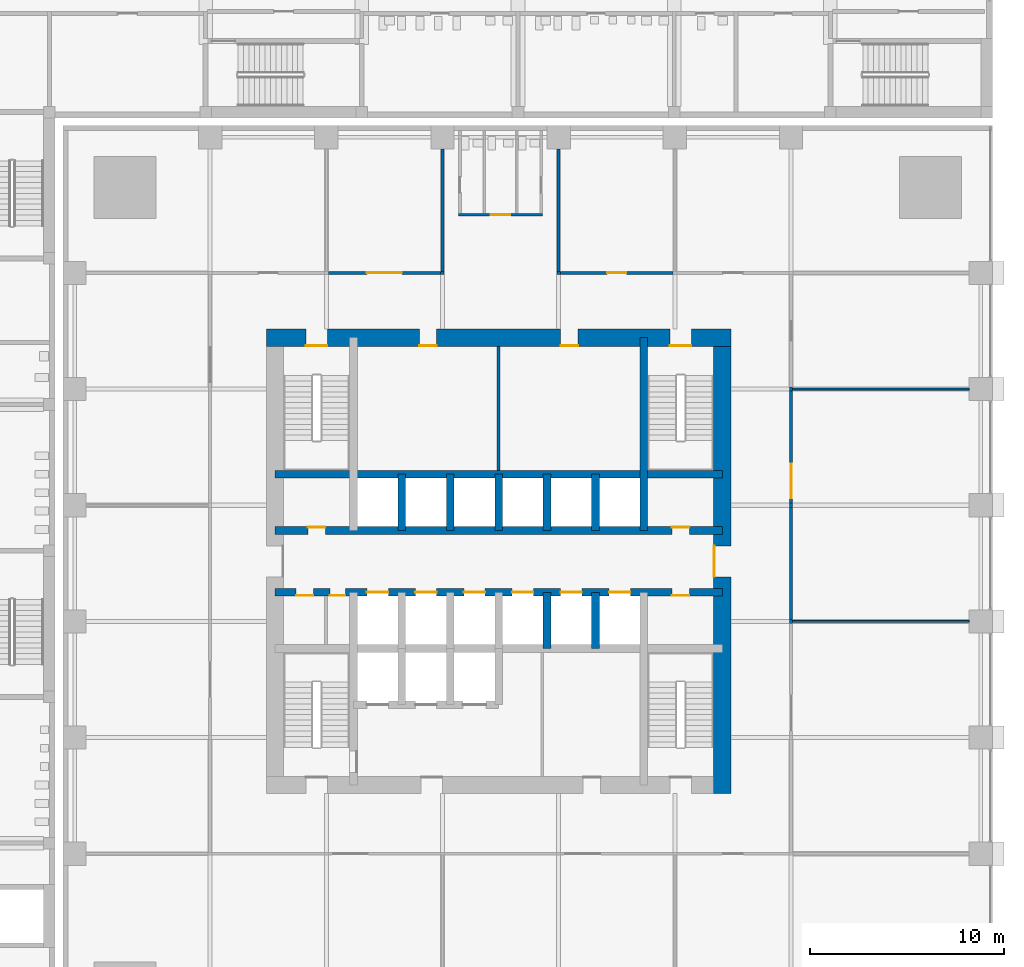
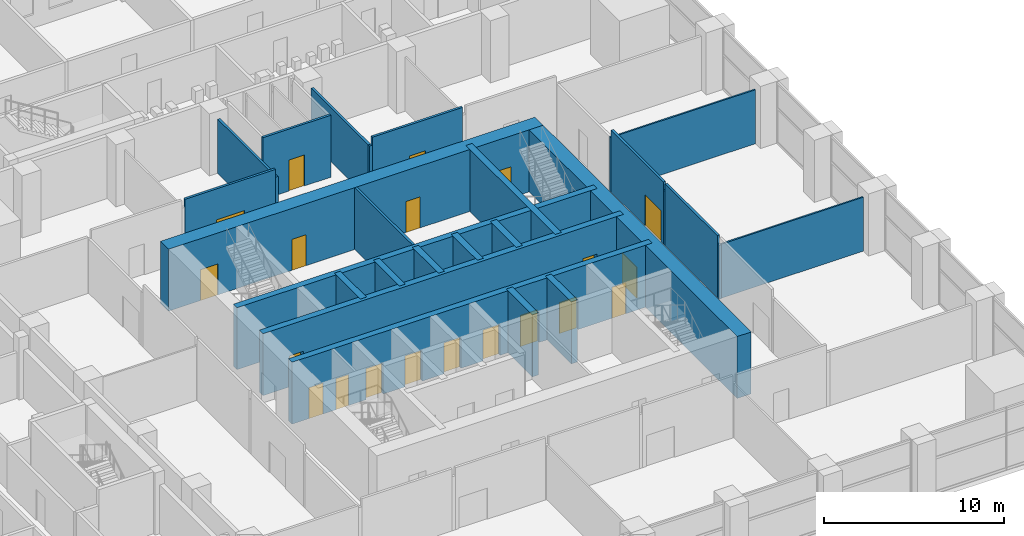
# One storey, part 14 of 25: 28 walls, 20 doors, 20 openings.
"""IFC4 building model written with IfcOpenShell, lengths in metres."""

from ifc_helpers import new_model, si_unit, direction, frame, frame_2d, origin, place, context, subcontext, project, spatial, rectangle, extrude, material, layer, layer_set, type_object, element, fill, save


model = new_model("IFC4")

# Units and contexts
model_context = context("Model", 3, precision=1e-05, world=origin(), true_north=direction((0.0, 1.0)))
body_context = subcontext(model_context, "Body", "Model", "MODEL_VIEW")
ifc_project = project(units=[si_unit("LENGTHUNIT", "METRE"), si_unit("AREAUNIT", "SQUARE_METRE"), si_unit("VOLUMEUNIT", "CUBIC_METRE"), si_unit("PLANEANGLEUNIT", "RADIAN"), si_unit("MASSUNIT", "GRAM", prefix="KILO")], contexts=[model_context])

# Site, building, storey
site_placement = place(None, origin())
site = spatial("IfcSite", under=ifc_project, at=site_placement, CompositionType="ELEMENT")
building_placement = place(site_placement, origin())
building = spatial("IfcBuilding", under=site, at=building_placement, Name="Amberfall Residences", CompositionType="ELEMENT")
storey_placement = place(building_placement, frame((0.0, 0.0, 10.0)))
storey = spatial("IfcBuildingStorey", under=building, at=storey_placement, Name="L02", CompositionType="ELEMENT", Elevation=10.0)

# Wall, openings, doors
ifc_material_1 = material(Name="Concrete C80", Category="concrete")
ifc_layer_1 = layer(ifc_material_1, 0.39990234375)
ifc_layer_set_1 = layer_set([ifc_layer_1], Name="Core wall 400 C80")
wall_type_1 = type_object("IfcWallType", Name="Core wall 400 C80", PredefinedType="SHEAR", material=ifc_layer_set_1)
wall_1_placement = place(storey_placement, frame((62.949951171875, 43.89990234375, 0.0), z_axis=(0.0, 0.0, 1.0), x_axis=(1.0, 0.0, 0.0)))
wall_1 = element("IfcWall", 1, at=wall_1_placement, inside=storey, type_object=wall_type_1, Name="Core wall RW2 L02 H104", PredefinedType="SHEAR", context=body_context, shape_type="SweptSolid", body=[
    extrude(rectangle(XDim=23.10009765625, YDim=0.39990234375, at=frame_2d((11.550048828125, 0.0))), origin(), (0.0, 0.0, 1.0), 4.199951171875),
])
opening_1_placement = place(wall_1_placement, frame((1.087890625, 0.0, 0.0)))
opening_1 = element("IfcOpeningElement", 2, at=opening_1_placement, cuts=wall_1, Name="Opening RD1", PredefinedType="OPENING", context=body_context, shape_type="SweptSolid", body=[
    extrude(rectangle(XDim=0.89990234375, YDim=2.10009765625, at=frame_2d((0.449951171875, 1.050048828125))), frame((0.0, 0.2099609375, 0.0), z_axis=(0.0, -1.0, 0.0), x_axis=(1.0, 0.0, 0.0)), (0.0, 0.0, 1.0), 0.419921875),
])
opening_2_placement = place(wall_1_placement, frame((2.837890625, 0.0, 0.0)))
opening_2 = element("IfcOpeningElement", 3, at=opening_2_placement, cuts=wall_1, Name="Opening RD2", PredefinedType="OPENING", context=body_context, shape_type="SweptSolid", body=[
    extrude(rectangle(XDim=0.800048828125, YDim=2.10009765625, at=frame_2d((0.39990234375, 1.050048828125))), frame((0.0, 0.2099609375, 0.0), z_axis=(0.0, -1.0, 0.0), x_axis=(1.0, 0.0, 0.0)), (0.0, 0.0, 1.0), 0.419921875),
])
opening_3_placement = place(wall_1_placement, frame((20.5, 0.0, 0.0)))
opening_3 = element("IfcOpeningElement", 4, at=opening_3_placement, cuts=wall_1, Name="Opening RD1", PredefinedType="OPENING", context=body_context, shape_type="SweptSolid", body=[
    extrude(rectangle(XDim=0.89990234375, YDim=2.10009765625, at=frame_2d((0.449951171875, 1.050048828125))), frame((0.0, 0.2099609375, 0.0), z_axis=(0.0, -1.0, 0.0), x_axis=(1.0, 0.0, 0.0)), (0.0, 0.0, 1.0), 0.419921875),
])
opening_4_placement = place(wall_1_placement, frame((4.75, 0.0, 0.0)))
opening_4 = element("IfcOpeningElement", 5, at=opening_4_placement, cuts=wall_1, Name="Opening LD1", PredefinedType="OPENING", context=body_context, shape_type="SweptSolid", body=[
    extrude(rectangle(XDim=1.10009765625, YDim=2.10009765625, at=frame_2d((0.550048828125, 1.050048828125))), frame((0.0, 0.2099609375, 0.0), z_axis=(0.0, -1.0, 0.0), x_axis=(1.0, 0.0, 0.0)), (0.0, 0.0, 1.0), 0.419921875),
])
opening_5_placement = place(wall_1_placement, frame((7.25, 0.0, 0.0)))
opening_5 = element("IfcOpeningElement", 6, at=opening_5_placement, cuts=wall_1, Name="Opening LD1", PredefinedType="OPENING", context=body_context, shape_type="SweptSolid", body=[
    extrude(rectangle(XDim=1.10009765625, YDim=2.10009765625, at=frame_2d((0.550048828125, 1.050048828125))), frame((0.0, 0.2099609375, 0.0), z_axis=(0.0, -1.0, 0.0), x_axis=(1.0, 0.0, 0.0)), (0.0, 0.0, 1.0), 0.419921875),
])
opening_6_placement = place(wall_1_placement, frame((9.75, 0.0, 0.0)))
opening_6 = element("IfcOpeningElement", 7, at=opening_6_placement, cuts=wall_1, Name="Opening LD1", PredefinedType="OPENING", context=body_context, shape_type="SweptSolid", body=[
    extrude(rectangle(XDim=1.10009765625, YDim=2.10009765625, at=frame_2d((0.550048828125, 1.050048828125))), frame((0.0, 0.2099609375, 0.0), z_axis=(0.0, -1.0, 0.0), x_axis=(1.0, 0.0, 0.0)), (0.0, 0.0, 1.0), 0.419921875),
])
opening_7_placement = place(wall_1_placement, frame((12.25, 0.0, 0.0)))
opening_7 = element("IfcOpeningElement", 8, at=opening_7_placement, cuts=wall_1, Name="Opening LD1", PredefinedType="OPENING", context=body_context, shape_type="SweptSolid", body=[
    extrude(rectangle(XDim=1.10009765625, YDim=2.10009765625, at=frame_2d((0.550048828125, 1.050048828125))), frame((0.0, 0.2099609375, 0.0), z_axis=(0.0, -1.0, 0.0), x_axis=(1.0, 0.0, 0.0)), (0.0, 0.0, 1.0), 0.419921875),
])
opening_8_placement = place(wall_1_placement, frame((14.75, 0.0, 0.0)))
opening_8 = element("IfcOpeningElement", 9, at=opening_8_placement, cuts=wall_1, Name="Opening LD1", PredefinedType="OPENING", context=body_context, shape_type="SweptSolid", body=[
    extrude(rectangle(XDim=1.10009765625, YDim=2.10009765625, at=frame_2d((0.550048828125, 1.050048828125))), frame((0.0, 0.2099609375, 0.0), z_axis=(0.0, -1.0, 0.0), x_axis=(1.0, 0.0, 0.0)), (0.0, 0.0, 1.0), 0.419921875),
])
opening_9_placement = place(wall_1_placement, frame((17.25, 0.0, 0.0)))
opening_9 = element("IfcOpeningElement", 10, at=opening_9_placement, cuts=wall_1, Name="Opening LD1", PredefinedType="OPENING", context=body_context, shape_type="SweptSolid", body=[
    extrude(rectangle(XDim=1.10009765625, YDim=2.10009765625, at=frame_2d((0.550048828125, 1.050048828125))), frame((0.0, 0.2099609375, 0.0), z_axis=(0.0, -1.0, 0.0), x_axis=(1.0, 0.0, 0.0)), (0.0, 0.0, 1.0), 0.419921875),
])
ifc_material_2 = material(Name="Steel fire door set", Category="steel")
door_type_1 = type_object("IfcDoorType", Name="Lift landing door 1100 x 2100", OperationType="DOUBLE_DOOR_SLIDING", PredefinedType="DOOR", material=ifc_material_2)
door_1_placement = place(opening_4_placement, origin())
door_1 = element("IfcDoor", 11, at=door_1_placement, inside=storey, type_object=door_type_1, Name="Landing door LP1 L02", OperationType="DOUBLE_DOOR_SLIDING", OverallHeight=2.10009765625, OverallWidth=1.10009765625, PredefinedType="DOOR", context=body_context, shape_type="SweptSolid", body=[
    extrude(rectangle(XDim=1.10009765625, YDim=2.10009765625, at=frame_2d((0.550048828125, 1.050048828125))), frame((0.0, 0.02490234375, 0.0), z_axis=(0.0, -1.0, 0.0), x_axis=(1.0, 0.0, 0.0)), (0.0, 0.0, 1.0), 0.050048828125),
])
fill(opening_4, door_1)
door_2_placement = place(opening_5_placement, origin())
door_2 = element("IfcDoor", 12, at=door_2_placement, inside=storey, type_object=door_type_1, Name="Landing door LP2 L02", OperationType="DOUBLE_DOOR_SLIDING", OverallHeight=2.10009765625, OverallWidth=1.10009765625, PredefinedType="DOOR", context=body_context, shape_type="SweptSolid", body=[
    extrude(rectangle(XDim=1.10009765625, YDim=2.10009765625, at=frame_2d((0.550048828125, 1.050048828125))), frame((0.0, 0.02490234375, 0.0), z_axis=(0.0, -1.0, 0.0), x_axis=(1.0, 0.0, 0.0)), (0.0, 0.0, 1.0), 0.050048828125),
])
fill(opening_5, door_2)
door_3_placement = place(opening_6_placement, origin())
door_3 = element("IfcDoor", 13, at=door_3_placement, inside=storey, type_object=door_type_1, Name="Landing door LP3 L02", OperationType="DOUBLE_DOOR_SLIDING", OverallHeight=2.10009765625, OverallWidth=1.10009765625, PredefinedType="DOOR", context=body_context, shape_type="SweptSolid", body=[
    extrude(rectangle(XDim=1.10009765625, YDim=2.10009765625, at=frame_2d((0.550048828125, 1.050048828125))), frame((0.0, 0.02490234375, 0.0), z_axis=(0.0, -1.0, 0.0), x_axis=(1.0, 0.0, 0.0)), (0.0, 0.0, 1.0), 0.050048828125),
])
fill(opening_6, door_3)
door_4_placement = place(opening_7_placement, origin())
door_4 = element("IfcDoor", 14, at=door_4_placement, inside=storey, type_object=door_type_1, Name="Landing door LP4 L02", OperationType="DOUBLE_DOOR_SLIDING", OverallHeight=2.10009765625, OverallWidth=1.10009765625, PredefinedType="DOOR", context=body_context, shape_type="SweptSolid", body=[
    extrude(rectangle(XDim=1.10009765625, YDim=2.10009765625, at=frame_2d((0.550048828125, 1.050048828125))), frame((0.0, 0.02490234375, 0.0), z_axis=(0.0, -1.0, 0.0), x_axis=(1.0, 0.0, 0.0)), (0.0, 0.0, 1.0), 0.050048828125),
])
fill(opening_7, door_4)
door_5_placement = place(opening_8_placement, origin())
door_5 = element("IfcDoor", 15, at=door_5_placement, inside=storey, type_object=door_type_1, Name="Landing door LP5 L02", OperationType="DOUBLE_DOOR_SLIDING", OverallHeight=2.10009765625, OverallWidth=1.10009765625, PredefinedType="DOOR", context=body_context, shape_type="SweptSolid", body=[
    extrude(rectangle(XDim=1.10009765625, YDim=2.10009765625, at=frame_2d((0.550048828125, 1.050048828125))), frame((0.0, 0.02490234375, 0.0), z_axis=(0.0, -1.0, 0.0), x_axis=(1.0, 0.0, 0.0)), (0.0, 0.0, 1.0), 0.050048828125),
])
fill(opening_8, door_5)
door_6_placement = place(opening_9_placement, origin())
door_6 = element("IfcDoor", 16, at=door_6_placement, inside=storey, type_object=door_type_1, Name="Landing door LP6 L02", OperationType="DOUBLE_DOOR_SLIDING", OverallHeight=2.10009765625, OverallWidth=1.10009765625, PredefinedType="DOOR", context=body_context, shape_type="SweptSolid", body=[
    extrude(rectangle(XDim=1.10009765625, YDim=2.10009765625, at=frame_2d((0.550048828125, 1.050048828125))), frame((0.0, 0.02490234375, 0.0), z_axis=(0.0, -1.0, 0.0), x_axis=(1.0, 0.0, 0.0)), (0.0, 0.0, 1.0), 0.050048828125),
])
fill(opening_9, door_6)
door_type_2 = type_object("IfcDoorType", Name="Service room door 800 x 2100", OperationType="SINGLE_SWING_LEFT", PredefinedType="DOOR", material=ifc_material_2)
door_7_placement = place(opening_2_placement, origin())
door_7 = element("IfcDoor", 17, at=door_7_placement, inside=storey, type_object=door_type_2, Name="RD2 L02", OperationType="SINGLE_SWING_RIGHT", OverallHeight=2.10009765625, OverallWidth=0.800048828125, PredefinedType="DOOR", context=body_context, shape_type="SweptSolid", body=[
    extrude(rectangle(XDim=0.800048828125, YDim=2.10009765625, at=frame_2d((0.39990234375, 1.050048828125))), frame((0.0, -0.1376953125, 0.0), z_axis=(0.0, -1.0, 0.0), x_axis=(1.0, 0.0, 0.0)), (0.0, 0.0, 1.0), 0.050048828125),
])
fill(opening_2, door_7)
door_type_3 = type_object("IfcDoorType", Name="Service room door 900 x 2100", OperationType="SINGLE_SWING_LEFT", PredefinedType="DOOR", material=ifc_material_2)
door_8_placement = place(opening_1_placement, origin())
door_8 = element("IfcDoor", 18, at=door_8_placement, inside=storey, type_object=door_type_3, Name="RD1 L02", OperationType="SINGLE_SWING_LEFT", OverallHeight=2.10009765625, OverallWidth=0.89990234375, PredefinedType="DOOR", context=body_context, shape_type="SweptSolid", body=[
    extrude(rectangle(XDim=0.89990234375, YDim=2.10009765625, at=frame_2d((0.449951171875, 1.050048828125))), frame((0.0, -0.1376953125, 0.0), z_axis=(0.0, -1.0, 0.0), x_axis=(1.0, 0.0, 0.0)), (0.0, 0.0, 1.0), 0.050048828125),
])
fill(opening_1, door_8)
door_9_placement = place(opening_3_placement, origin())
door_9 = element("IfcDoor", 19, at=door_9_placement, inside=storey, type_object=door_type_3, Name="RD1 L02", OperationType="SINGLE_SWING_LEFT", OverallHeight=2.10009765625, OverallWidth=0.89990234375, PredefinedType="DOOR", context=body_context, shape_type="SweptSolid", body=[
    extrude(rectangle(XDim=0.89990234375, YDim=2.10009765625, at=frame_2d((0.449951171875, 1.050048828125))), frame((0.0, -0.1376953125, 0.0), z_axis=(0.0, -1.0, 0.0), x_axis=(1.0, 0.0, 0.0)), (0.0, 0.0, 1.0), 0.050048828125),
])
fill(opening_3, door_9)

wall_2_placement = place(storey_placement, frame((62.949951171875, 47.10009765625, 0.0), z_axis=(0.0, 0.0, 1.0), x_axis=(1.0, 0.0, 0.0)))
wall_2 = element("IfcWall", 20, at=wall_2_placement, inside=storey, type_object=wall_type_1, Name="Core wall RW2 L02 H136", PredefinedType="SHEAR", context=body_context, shape_type="SweptSolid", body=[
    extrude(rectangle(XDim=23.10009765625, YDim=0.39990234375, at=frame_2d((11.550048828125, 0.0))), origin(), (0.0, 0.0, 1.0), 4.199951171875),
])
opening_10_placement = place(wall_2_placement, frame((1.699951171875, 0.0, 0.0)))
opening_10 = element("IfcOpeningElement", 21, at=opening_10_placement, cuts=wall_2, Name="Opening RD1", PredefinedType="OPENING", context=body_context, shape_type="SweptSolid", body=[
    extrude(rectangle(XDim=0.89990234375, YDim=2.10009765625, at=frame_2d((0.449951171875, 1.050048828125))), frame((0.0, 0.2099609375, 0.0), z_axis=(0.0, -1.0, 0.0), x_axis=(1.0, 0.0, 0.0)), (0.0, 0.0, 1.0), 0.419921875),
])
opening_11_placement = place(wall_2_placement, frame((20.5, 0.0, 0.0)))
opening_11 = element("IfcOpeningElement", 22, at=opening_11_placement, cuts=wall_2, Name="Opening RD1", PredefinedType="OPENING", context=body_context, shape_type="SweptSolid", body=[
    extrude(rectangle(XDim=0.89990234375, YDim=2.10009765625, at=frame_2d((0.449951171875, 1.050048828125))), frame((0.0, 0.2099609375, 0.0), z_axis=(0.0, -1.0, 0.0), x_axis=(1.0, 0.0, 0.0)), (0.0, 0.0, 1.0), 0.419921875),
])
door_10_placement = place(opening_10_placement, origin())
door_10 = element("IfcDoor", 23, at=door_10_placement, inside=storey, type_object=door_type_3, Name="RD1 L02", OperationType="SINGLE_SWING_LEFT", OverallHeight=2.10009765625, OverallWidth=0.89990234375, PredefinedType="DOOR", context=body_context, shape_type="SweptSolid", body=[
    extrude(rectangle(XDim=0.89990234375, YDim=2.10009765625, at=frame_2d((0.449951171875, 1.050048828125))), frame((0.0, 0.1875, 0.0), z_axis=(0.0, -1.0, 0.0), x_axis=(1.0, 0.0, 0.0)), (0.0, 0.0, 1.0), 0.050048828125),
])
fill(opening_10, door_10)
door_11_placement = place(opening_11_placement, origin())
door_11 = element("IfcDoor", 24, at=door_11_placement, inside=storey, type_object=door_type_3, Name="RD1 L02", OperationType="SINGLE_SWING_LEFT", OverallHeight=2.10009765625, OverallWidth=0.89990234375, PredefinedType="DOOR", context=body_context, shape_type="SweptSolid", body=[
    extrude(rectangle(XDim=0.89990234375, YDim=2.10009765625, at=frame_2d((0.449951171875, 1.050048828125))), frame((0.0, 0.1875, 0.0), z_axis=(0.0, -1.0, 0.0), x_axis=(1.0, 0.0, 0.0)), (0.0, 0.0, 1.0), 0.050048828125),
])
fill(opening_11, door_11)

# Walls
wall_3_placement = place(storey_placement, frame((62.949951171875, 50.0, 0.0), z_axis=(0.0, 0.0, 1.0), x_axis=(1.0, 0.0, 0.0)))
element("IfcWall", 25, at=wall_3_placement, inside=storey, type_object=wall_type_1, Name="Core wall RW2 L02 H165", PredefinedType="SHEAR", context=body_context, shape_type="SweptSolid", body=[
    extrude(rectangle(XDim=23.10009765625, YDim=0.39990234375, at=frame_2d((11.550048828125, 0.0))), origin(), (0.0, 0.0, 1.0), 4.199951171875),
])
wall_4_placement = place(storey_placement, frame((82.0, 47.10009765625, 0.0), z_axis=(0.0, 0.0, 1.0), x_axis=(0.0, 1.0, 0.0)))
element("IfcWall", 26, at=wall_4_placement, inside=storey, type_object=wall_type_1, Name="Core wall RW2 L02 V195N", PredefinedType="SHEAR", context=body_context, shape_type="SweptSolid", body=[
    extrude(rectangle(XDim=9.949951171875, YDim=0.39990234375, at=frame_2d((4.97509765625, 0.0))), origin(), (0.0, 0.0, 1.0), 4.199951171875),
])
for number, where, z_axis, x_axis, name in (
    (27, (69.5, 47.10009765625, 0.0), (0.0, 0.0, 1.0), (0.0, 1.0, 0.0), "Core wall RW2 L02 HPD1"),
    (28, (72.0, 47.10009765625, 0.0), (0.0, 0.0, 1.0), (0.0, 1.0, 0.0), "Core wall RW2 L02 HPD2"),
    (29, (74.5, 47.10009765625, 0.0), (0.0, 0.0, 1.0), (0.0, 1.0, 0.0), "Core wall RW2 L02 HPD3"),
    (30, (77.0, 41.0, 0.0), (0.0, 0.0, 1.0), (0.0, 1.0, 0.0), "Core wall RW2 L02 LPD4"),
    (31, (77.0, 47.10009765625, 0.0), (0.0, 0.0, 1.0), (0.0, 1.0, 0.0), "Core wall RW2 L02 HPD4"),
    (32, (79.5, 41.0, 0.0), (0.0, 0.0, 1.0), (0.0, 1.0, 0.0), "Core wall RW2 L02 LPD5"),
    (33, (79.5, 47.10009765625, 0.0), (0.0, 0.0, 1.0), (0.0, 1.0, 0.0), "Core wall RW2 L02 HPD5"),
):
    element("IfcWall", number, at=place(storey_placement, frame(where, z_axis=z_axis, x_axis=x_axis)), inside=storey, type_object=wall_type_1, Name=name, PredefinedType="SHEAR", context=body_context, shape_type="SweptSolid", body=[
        extrude(rectangle(XDim=2.89990234375, YDim=0.39990234375, at=frame_2d((1.449951171875, 0.0))), origin(), (0.0, 0.0, 1.0), 4.199951171875),
    ])

# Wall, openings, doors
ifc_layer_2 = layer(ifc_material_1, 0.89990234375)
ifc_layer_set_2 = layer_set([ifc_layer_2], Name="Core wall 900 C80")
wall_type_2 = type_object("IfcWallType", Name="Core wall 900 C80", PredefinedType="SHEAR", material=ifc_layer_set_2)
wall_5_placement = place(storey_placement, frame((62.5, 57.050048828125, 0.0), z_axis=(0.0, 0.0, 1.0), x_axis=(1.0, 0.0, 0.0)))
wall_5 = element("IfcWall", 34, at=wall_5_placement, inside=storey, type_object=wall_type_2, Name="Core wall RW1 L02 ON", PredefinedType="SHEAR", context=body_context, shape_type="SweptSolid", body=[
    extrude(rectangle(XDim=24.0, YDim=0.89990234375, at=frame_2d((12.0, 0.0))), origin(), (0.0, 0.0, 1.0), 4.199951171875),
])
opening_12_placement = place(wall_5_placement, frame((20.85009765625, 0.0, 0.0)))
opening_12 = element("IfcOpeningElement", 35, at=opening_12_placement, cuts=wall_5, Name="Opening SD1", PredefinedType="OPENING", context=body_context, shape_type="SweptSolid", body=[
    extrude(rectangle(XDim=1.10009765625, YDim=2.10009765625, at=frame_2d((0.550048828125, 1.050048828125))), frame((0.0, 0.4599609375, 0.0), z_axis=(0.0, -1.0, 0.0), x_axis=(1.0, 0.0, 0.0)), (0.0, 0.0, 1.0), 0.919921875),
])
opening_13_placement = place(wall_5_placement, frame((2.050048828125, 0.0, 0.0)))
opening_13 = element("IfcOpeningElement", 36, at=opening_13_placement, cuts=wall_5, Name="Opening SD1", PredefinedType="OPENING", context=body_context, shape_type="SweptSolid", body=[
    extrude(rectangle(XDim=1.10009765625, YDim=2.10009765625, at=frame_2d((0.550048828125, 1.050048828125))), frame((0.0, 0.4599609375, 0.0), z_axis=(0.0, -1.0, 0.0), x_axis=(1.0, 0.0, 0.0)), (0.0, 0.0, 1.0), 0.919921875),
])
opening_14_placement = place(wall_5_placement, frame((7.89990234375, 0.0, 0.0)))
opening_14 = element("IfcOpeningElement", 37, at=opening_14_placement, cuts=wall_5, Name="Opening RD1", PredefinedType="OPENING", context=body_context, shape_type="SweptSolid", body=[
    extrude(rectangle(XDim=0.89990234375, YDim=2.10009765625, at=frame_2d((0.449951171875, 1.050048828125))), frame((0.0, 0.4599609375, 0.0), z_axis=(0.0, -1.0, 0.0), x_axis=(1.0, 0.0, 0.0)), (0.0, 0.0, 1.0), 0.919921875),
])
opening_15_placement = place(wall_5_placement, frame((15.199951171875, 0.0, 0.0)))
opening_15 = element("IfcOpeningElement", 38, at=opening_15_placement, cuts=wall_5, Name="Opening RD1", PredefinedType="OPENING", context=body_context, shape_type="SweptSolid", body=[
    extrude(rectangle(XDim=0.89990234375, YDim=2.10009765625, at=frame_2d((0.449951171875, 1.050048828125))), frame((0.0, 0.4599609375, 0.0), z_axis=(0.0, -1.0, 0.0), x_axis=(1.0, 0.0, 0.0)), (0.0, 0.0, 1.0), 0.919921875),
])
door_12_placement = place(opening_14_placement, origin())
door_12 = element("IfcDoor", 39, at=door_12_placement, inside=storey, type_object=door_type_3, Name="RD1 L02", OperationType="SINGLE_SWING_RIGHT", OverallHeight=2.10009765625, OverallWidth=0.89990234375, PredefinedType="DOOR", context=body_context, shape_type="SweptSolid", body=[
    extrude(rectangle(XDim=0.89990234375, YDim=2.10009765625, at=frame_2d((0.449951171875, 1.050048828125))), frame((0.0, -0.3876953125, 0.0), z_axis=(0.0, -1.0, 0.0), x_axis=(1.0, 0.0, 0.0)), (0.0, 0.0, 1.0), 0.050048828125),
])
fill(opening_14, door_12)
door_13_placement = place(opening_15_placement, origin())
door_13 = element("IfcDoor", 40, at=door_13_placement, inside=storey, type_object=door_type_3, Name="RD1 L02", OperationType="SINGLE_SWING_RIGHT", OverallHeight=2.10009765625, OverallWidth=0.89990234375, PredefinedType="DOOR", context=body_context, shape_type="SweptSolid", body=[
    extrude(rectangle(XDim=0.89990234375, YDim=2.10009765625, at=frame_2d((0.449951171875, 1.050048828125))), frame((0.0, -0.3876953125, 0.0), z_axis=(0.0, -1.0, 0.0), x_axis=(1.0, 0.0, 0.0)), (0.0, 0.0, 1.0), 0.050048828125),
])
fill(opening_15, door_13)
door_type_4 = type_object("IfcDoorType", Name="Stair door 1100 x 2100", OperationType="SINGLE_SWING_LEFT", PredefinedType="DOOR", material=ifc_material_2)
door_14_placement = place(opening_12_placement, origin())
door_14 = element("IfcDoor", 41, at=door_14_placement, inside=storey, type_object=door_type_4, Name="SD1 L02", OperationType="SINGLE_SWING_RIGHT", OverallHeight=2.10009765625, OverallWidth=1.10009765625, PredefinedType="DOOR", context=body_context, shape_type="SweptSolid", body=[
    extrude(rectangle(XDim=1.10009765625, YDim=2.10009765625, at=frame_2d((0.550048828125, 1.050048828125))), frame((0.0, -0.3876953125, 0.0), z_axis=(0.0, -1.0, 0.0), x_axis=(1.0, 0.0, 0.0)), (0.0, 0.0, 1.0), 0.050048828125),
])
fill(opening_12, door_14)
door_15_placement = place(opening_13_placement, origin())
door_15 = element("IfcDoor", 42, at=door_15_placement, inside=storey, type_object=door_type_4, Name="SD1 L02", OperationType="SINGLE_SWING_LEFT", OverallHeight=2.10009765625, OverallWidth=1.10009765625, PredefinedType="DOOR", context=body_context, shape_type="SweptSolid", body=[
    extrude(rectangle(XDim=1.10009765625, YDim=2.10009765625, at=frame_2d((0.550048828125, 1.050048828125))), frame((0.0, -0.3876953125, 0.0), z_axis=(0.0, -1.0, 0.0), x_axis=(1.0, 0.0, 0.0)), (0.0, 0.0, 1.0), 0.050048828125),
])
fill(opening_13, door_15)

# Wall, opening, door
wall_6_placement = place(storey_placement, frame((86.050048828125, 33.5, 0.0), z_axis=(0.0, 0.0, 1.0), x_axis=(0.0, 1.0, 0.0)))
wall_6 = element("IfcWall", 43, at=wall_6_placement, inside=storey, type_object=wall_type_2, Name="Core wall RW1 L02 OE", PredefinedType="SHEAR", context=body_context, shape_type="SweptSolid", body=[
    extrude(rectangle(XDim=24.0, YDim=0.89990234375, at=frame_2d((12.0, 0.0))), origin(), (0.0, 0.0, 1.0), 4.199951171875),
])
opening_16_placement = place(wall_6_placement, frame((11.199951171875, 0.0, 0.0)))
opening_16 = element("IfcOpeningElement", 44, at=opening_16_placement, cuts=wall_6, Name="Opening LB1", PredefinedType="OPENING", context=body_context, shape_type="SweptSolid", body=[
    extrude(rectangle(XDim=1.60009765625, YDim=2.10009765625, at=frame_2d((0.800048828125, 1.050048828125))), frame((0.0, 0.4599609375, 0.0), z_axis=(0.0, -1.0, 0.0), x_axis=(1.0, 0.0, 0.0)), (0.0, 0.0, 1.0), 0.919921875),
])
door_type_5 = type_object("IfcDoorType", Name="Lift lobby double door 1600 x 2100", OperationType="DOUBLE_DOOR_SINGLE_SWING", PredefinedType="DOOR", material=ifc_material_2)
door_16_placement = place(opening_16_placement, origin())
door_16 = element("IfcDoor", 45, at=door_16_placement, inside=storey, type_object=door_type_5, Name="LB1 L02", OperationType="DOUBLE_DOOR_SINGLE_SWING", OverallHeight=2.10009765625, OverallWidth=1.60009765625, PredefinedType="DOOR", context=body_context, shape_type="SweptSolid", body=[
    extrude(rectangle(XDim=1.60009765625, YDim=2.10009765625, at=frame_2d((0.800048828125, 1.050048828125))), frame((0.0, 0.4375, 0.0), z_axis=(0.0, -1.0, 0.0), x_axis=(1.0, 0.0, 0.0)), (0.0, 0.0, 1.0), 0.050048828125),
])
fill(opening_16, door_16)

# Walls
ifc_material_3 = material(Name="Gypsum board on steel studs", Category="steel")
ifc_layer_3 = layer(ifc_material_3, 0.10009765625)
ifc_layer_set_3 = layer_set([ifc_layer_3], Name="Partition 100")
wall_type_3 = type_object("IfcWallType", Name="Partition 100", PredefinedType="PARTITIONING", material=ifc_layer_set_3)
for number, where, z_axis, x_axis, name in (
    (46, (89.675048828125, 42.39990234375, 0.0), (0.0, 0.0, 1.0), (1.0, 0.0, 0.0), "Partition 100 L02 001"),
    (47, (89.675048828125, 54.39990234375, 0.0), (0.0, 0.0, 1.0), (1.0, 0.0, 0.0), "Partition 100 L02 003"),
):
    element("IfcWall", number, at=place(storey_placement, frame(where, z_axis=z_axis, x_axis=x_axis)), inside=storey, type_object=wall_type_3, Name=name, PredefinedType="PARTITIONING", context=body_context, shape_type="SweptSolid", body=[
        extrude(rectangle(XDim=9.125, YDim=0.10009765625, at=frame_2d((4.5625, 0.0))), origin(), (0.0, 0.0, 1.0), 3.659912109375),
    ])

# Wall, opening, door
ifc_material_4 = material(Name="Fire-rated gypsum board on steel studs", Category="steel")
ifc_layer_4 = layer(ifc_material_4, 0.14990234375)
ifc_layer_set_4 = layer_set([ifc_layer_4], Name="Partition 150 fire-rated")
wall_type_4 = type_object("IfcWallType", Name="Partition 150 fire-rated", PredefinedType="PARTITIONING", material=ifc_layer_set_4)
wall_7_placement = place(storey_placement, frame((65.70458984375, 60.39990234375, 0.0), z_axis=(0.0, 0.0, 1.0), x_axis=(1.0, 0.0, 0.0)))
wall_7 = element("IfcWall", 48, at=wall_7_placement, inside=storey, type_object=wall_type_4, Name="Partition 150 fire-rated L02 018", PredefinedType="PARTITIONING", context=body_context, shape_type="SweptSolid", body=[
    extrude(rectangle(XDim=5.790771484375, YDim=0.14990234375, at=frame_2d((2.8955078125, 0.0))), origin(), (0.0, 0.0, 1.0), 4.199951171875),
])
opening_17_placement = place(wall_7_placement, frame((1.995361328125, 0.0, 0.0)))
opening_17 = element("IfcOpeningElement", 49, at=opening_17_placement, cuts=wall_7, Name="Opening D5", PredefinedType="OPENING", context=body_context, shape_type="SweptSolid", body=[
    extrude(rectangle(XDim=1.800048828125, YDim=2.10009765625, at=frame_2d((0.89990234375, 1.050048828125))), frame((0.0, 0.0849609375, 0.0), z_axis=(0.0, -1.0, 0.0), x_axis=(1.0, 0.0, 0.0)), (0.0, 0.0, 1.0), 0.169921875),
])
ifc_material_5 = material(Name="Timber veneer door leaf", Category="wood")
door_type_6 = type_object("IfcDoorType", Name="Double door 1800x2100", OperationType="DOUBLE_DOOR_SINGLE_SWING", PredefinedType="DOOR", material=ifc_material_5)
door_17_placement = place(opening_17_placement, origin())
door_17 = element("IfcDoor", 50, at=door_17_placement, inside=storey, type_object=door_type_6, Name="Door Residents bar", OperationType="DOUBLE_DOOR_SINGLE_SWING", OverallHeight=2.10009765625, OverallWidth=1.800048828125, PredefinedType="DOOR", context=body_context, shape_type="SweptSolid", body=[
    extrude(rectangle(XDim=1.800048828125, YDim=2.10009765625, at=frame_2d((0.89990234375, 1.050048828125))), frame((0.0, 0.02490234375, 0.0), z_axis=(0.0, -1.0, 0.0), x_axis=(1.0, 0.0, 0.0)), (0.0, 0.0, 1.0), 0.050048828125),
])
fill(opening_17, door_17)

# Walls
for number, where, z_axis, x_axis, name in (
    (51, (71.495361328125, 60.39990234375, 0.0), (0.0, 0.0, 1.0), (1.0, 0.0, 0.0), "Partition 150 fire-rated L02 019"),
    (52, (77.52490234375, 60.39990234375, 0.0), (0.0, 0.0, 1.0), (1.0, 0.0, 0.0), "Partition 150 fire-rated L02 020"),
):
    element("IfcWall", number, at=place(storey_placement, frame(where, z_axis=z_axis, x_axis=x_axis)), inside=storey, type_object=wall_type_4, Name=name, PredefinedType="PARTITIONING", context=body_context, shape_type="SweptSolid", body=[
        extrude(rectangle(XDim=0.1796875, YDim=0.14990234375, at=frame_2d((0.08984375, 0.0))), origin(), (0.0, 0.0, 1.0), 3.6669921875),
    ])

# Wall, opening, door
wall_8_placement = place(storey_placement, frame((77.70458984375, 60.39990234375, 0.0), z_axis=(0.0, 0.0, 1.0), x_axis=(1.0, 0.0, 0.0)))
wall_8 = element("IfcWall", 53, at=wall_8_placement, inside=storey, type_object=wall_type_4, Name="Partition 150 fire-rated L02 021", PredefinedType="PARTITIONING", context=body_context, shape_type="SweptSolid", body=[
    extrude(rectangle(XDim=5.790771484375, YDim=0.14990234375, at=frame_2d((2.8955078125, 0.0))), origin(), (0.0, 0.0, 1.0), 4.199951171875),
])
opening_18_placement = place(wall_8_placement, frame((2.395263671875, 0.0, 0.0)))
opening_18 = element("IfcOpeningElement", 54, at=opening_18_placement, cuts=wall_8, Name="Opening D2", PredefinedType="OPENING", context=body_context, shape_type="SweptSolid", body=[
    extrude(rectangle(XDim=1.0, YDim=2.10009765625, at=frame_2d((0.5, 1.050048828125))), frame((0.0, 0.0849609375, 0.0), z_axis=(0.0, -1.0, 0.0), x_axis=(1.0, 0.0, 0.0)), (0.0, 0.0, 1.0), 0.169921875),
])
ifc_material_6 = material(Name="Steel fire door leaf", Category="steel")
door_type_7 = type_object("IfcDoorType", Name="Fire door 1000x2100 FD30S", OperationType="SINGLE_SWING_LEFT", PredefinedType="DOOR", material=ifc_material_6)
door_18_placement = place(opening_18_placement, origin())
door_18 = element("IfcDoor", 55, at=door_18_placement, inside=storey, type_object=door_type_7, Name="Door Cleaner's store", OperationType="SINGLE_SWING_LEFT", OverallHeight=2.10009765625, OverallWidth=1.0, PredefinedType="DOOR", context=body_context, shape_type="SweptSolid", body=[
    extrude(rectangle(XDim=1.0, YDim=2.10009765625, at=frame_2d((0.5, 1.050048828125))), frame((0.0, 0.02490234375, 0.0), z_axis=(0.0, -1.0, 0.0), x_axis=(1.0, 0.0, 0.0)), (0.0, 0.0, 1.0), 0.050048828125),
])
fill(opening_18, door_18)

wall_9_placement = place(storey_placement, frame((72.425048828125, 63.39990234375, 0.0), z_axis=(0.0, 0.0, 1.0), x_axis=(1.0, 0.0, 0.0)))
wall_9 = element("IfcWall", 56, at=wall_9_placement, inside=storey, type_object=wall_type_4, Name="Partition 150 fire-rated L02 026", PredefinedType="PARTITIONING", context=body_context, shape_type="SweptSolid", body=[
    extrude(rectangle(XDim=4.349853515625, YDim=0.14990234375, at=frame_2d((2.1748046875, 0.0))), origin(), (0.0, 0.0, 1.0), 4.199951171875),
])
opening_19_placement = place(wall_9_placement, frame((1.675048828125, 0.0, 0.0)))
opening_19 = element("IfcOpeningElement", 57, at=opening_19_placement, cuts=wall_9, Name="Opening D4", PredefinedType="OPENING", context=body_context, shape_type="SweptSolid", body=[
    extrude(rectangle(XDim=1.0, YDim=2.10009765625, at=frame_2d((0.5, 1.050048828125))), frame((0.0, 0.0849609375, 0.0), z_axis=(0.0, -1.0, 0.0), x_axis=(1.0, 0.0, 0.0)), (0.0, 0.0, 1.0), 0.169921875),
])
door_type_8 = type_object("IfcDoorType", Name="Accessible door 1000x2100", OperationType="SINGLE_SWING_LEFT", PredefinedType="DOOR", material=ifc_material_5)
door_19_placement = place(opening_19_placement, origin())
door_19 = element("IfcDoor", 58, at=door_19_placement, inside=storey, type_object=door_type_8, Name="Door Accessible WC L02", OperationType="SINGLE_SWING_LEFT", OverallHeight=2.10009765625, OverallWidth=1.0, PredefinedType="DOOR", context=body_context, shape_type="SweptSolid", body=[
    extrude(rectangle(XDim=1.0, YDim=2.10009765625, at=frame_2d((0.5, 1.050048828125))), frame((0.0, 0.02490234375, 0.0), z_axis=(0.0, -1.0, 0.0), x_axis=(1.0, 0.0, 0.0)), (0.0, 0.0, 1.0), 0.050048828125),
])
fill(opening_19, door_19)

# Walls
for number, where, z_axis, x_axis, name in (
    (59, (71.60009765625, 60.47509765625, 0.0), (0.0, 0.0, 1.0), (0.0, 1.0, 0.0), "Partition 150 fire-rated L02 036"),
    (60, (77.60009765625, 60.47509765625, 0.0), (0.0, 0.0, 1.0), (0.0, 1.0, 0.0), "Partition 150 fire-rated L02 043"),
):
    element("IfcWall", number, at=place(storey_placement, frame(where, z_axis=z_axis, x_axis=x_axis)), inside=storey, type_object=wall_type_4, Name=name, PredefinedType="PARTITIONING", context=body_context, shape_type="SweptSolid", body=[
        extrude(rectangle(XDim=6.324951171875, YDim=0.14990234375, at=frame_2d((3.16259765625, 0.0))), origin(), (0.0, 0.0, 1.0), 3.6669921875),
    ])
wall_10_placement = place(storey_placement, frame((89.60009765625, 42.294677734375, 0.0), z_axis=(0.0, 0.0, 1.0), x_axis=(0.0, 1.0, 0.0)))
element("IfcWall", 61, at=wall_10_placement, inside=storey, type_object=wall_type_4, Name="Partition 150 fire-rated L02 047", PredefinedType="PARTITIONING", context=body_context, shape_type="SweptSolid", body=[
    extrude(rectangle(XDim=0.210693359375, YDim=0.14990234375, at=frame_2d((0.10546875, 0.0))), origin(), (0.0, 0.0, 1.0), 3.659912109375),
])
wall_11_placement = place(storey_placement, frame((89.60009765625, 42.50537109375, 0.0), z_axis=(0.0, 0.0, 1.0), x_axis=(0.0, 1.0, 0.0)))
element("IfcWall", 62, at=wall_11_placement, inside=storey, type_object=wall_type_4, Name="Partition 150 fire-rated L02 048", PredefinedType="PARTITIONING", context=body_context, shape_type="SweptSolid", body=[
    extrude(rectangle(XDim=5.789306640625, YDim=0.14990234375, at=frame_2d((2.89453125, 0.0))), origin(), (0.0, 0.0, 1.0), 4.199951171875),
])
wall_12_placement = place(storey_placement, frame((89.60009765625, 48.294677734375, 0.0), z_axis=(0.0, 0.0, 1.0), x_axis=(0.0, 1.0, 0.0)))
element("IfcWall", 63, at=wall_12_placement, inside=storey, type_object=wall_type_4, Name="Partition 150 fire-rated L02 049", PredefinedType="PARTITIONING", context=body_context, shape_type="SweptSolid", body=[
    extrude(rectangle(XDim=0.210693359375, YDim=0.14990234375, at=frame_2d((0.10546875, 0.0))), origin(), (0.0, 0.0, 1.0), 3.659912109375),
])

# Wall, opening, door
wall_13_placement = place(storey_placement, frame((89.60009765625, 48.50537109375, 0.0), z_axis=(0.0, 0.0, 1.0), x_axis=(0.0, 1.0, 0.0)))
wall_13 = element("IfcWall", 64, at=wall_13_placement, inside=storey, type_object=wall_type_4, Name="Partition 150 fire-rated L02 050", PredefinedType="PARTITIONING", context=body_context, shape_type="SweptSolid", body=[
    extrude(rectangle(XDim=5.789306640625, YDim=0.14990234375, at=frame_2d((2.89453125, 0.0))), origin(), (0.0, 0.0, 1.0), 4.199951171875),
])
opening_20_placement = place(wall_13_placement, frame((0.24462890625, 0.0, 0.0)))
opening_20 = element("IfcOpeningElement", 65, at=opening_20_placement, cuts=wall_13, Name="Opening D5", PredefinedType="OPENING", context=body_context, shape_type="SweptSolid", body=[
    extrude(rectangle(XDim=1.800048828125, YDim=2.10009765625, at=frame_2d((0.89990234375, 1.050048828125))), frame((0.0, 0.0849609375, 0.0), z_axis=(0.0, -1.0, 0.0), x_axis=(1.0, 0.0, 0.0)), (0.0, 0.0, 1.0), 0.169921875),
])
door_20_placement = place(opening_20_placement, origin())
door_20 = element("IfcDoor", 66, at=door_20_placement, inside=storey, type_object=door_type_6, Name="Door Cycle studio", OperationType="DOUBLE_DOOR_SINGLE_SWING", OverallHeight=2.10009765625, OverallWidth=1.800048828125, PredefinedType="DOOR", context=body_context, shape_type="SweptSolid", body=[
    extrude(rectangle(XDim=1.800048828125, YDim=2.10009765625, at=frame_2d((0.89990234375, 1.050048828125))), frame((0.0, 0.02490234375, 0.0), z_axis=(0.0, -1.0, 0.0), x_axis=(1.0, 0.0, 0.0)), (0.0, 0.0, 1.0), 0.050048828125),
])
fill(opening_20, door_20)

# Walls
wall_14_placement = place(storey_placement, frame((89.60009765625, 54.294677734375, 0.0), z_axis=(0.0, 0.0, 1.0), x_axis=(0.0, 1.0, 0.0)))
element("IfcWall", 67, at=wall_14_placement, inside=storey, type_object=wall_type_4, Name="Partition 150 fire-rated L02 051", PredefinedType="PARTITIONING", context=body_context, shape_type="SweptSolid", body=[
    extrude(rectangle(XDim=0.205810546875, YDim=0.14990234375, at=frame_2d((0.10302734375, 0.0))), origin(), (0.0, 0.0, 1.0), 3.659912109375),
])
ifc_material_7 = material(Name="Concrete blockwork", Category="masonry")
ifc_layer_5 = layer(ifc_material_7, 0.14990234375)
ifc_layer_set_5 = layer_set([ifc_layer_5], Name="Riser wall 150")
wall_type_5 = type_object("IfcWallType", Name="Riser wall 150", PredefinedType="PLUMBINGWALL", material=ifc_layer_set_5)
wall_15_placement = place(storey_placement, frame((74.5, 50.199951171875, 0.0), z_axis=(0.0, 0.0, 1.0), x_axis=(0.0, 1.0, 0.0)))
element("IfcWall", 68, at=wall_15_placement, inside=storey, type_object=wall_type_5, Name="L02 core wall N0", PredefinedType="PLUMBINGWALL", context=body_context, shape_type="SweptSolid", body=[
    extrude(rectangle(XDim=6.400146484375, YDim=0.14990234375, at=frame_2d((3.2001953125, 0.0))), origin(), (0.0, 0.0, 1.0), 4.199951171875),
])

save(model, "model.ifc")
